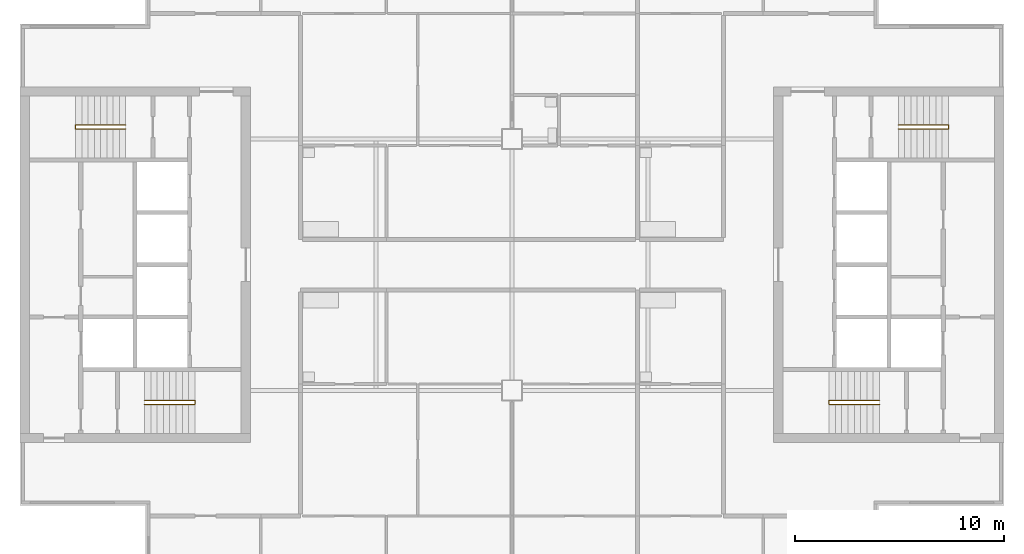
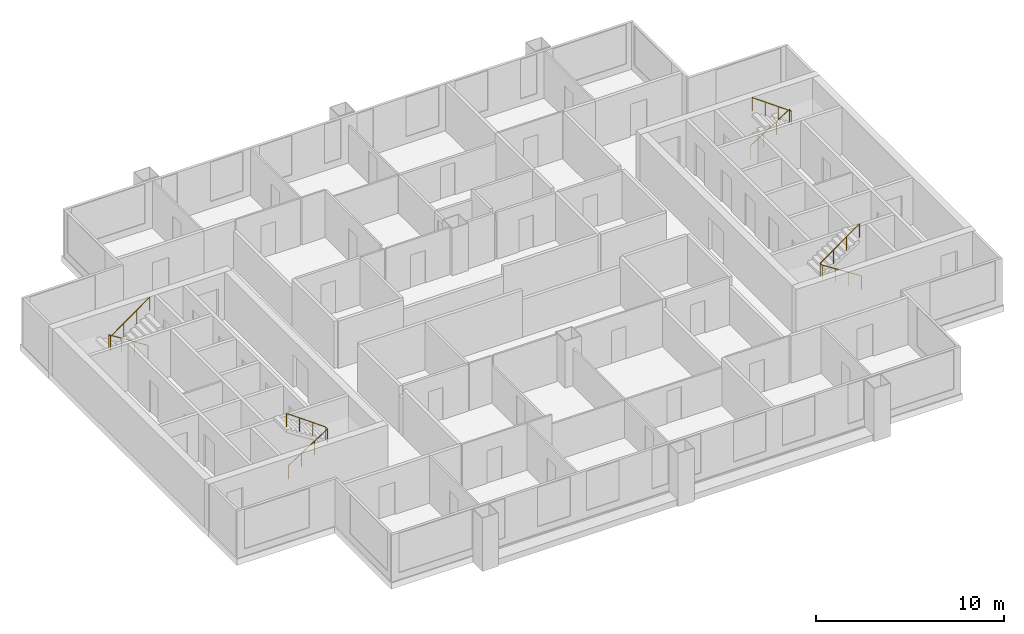
# One storey, part 7 of 8: 4 railings.
"""IFC4 building model written with IfcOpenShell, lengths in metres."""

from ifc_helpers import new_model, si_unit, direction, frame, origin, origin_2d, place, context, subcontext, project, spatial, circle, extrude, material, type_object, element, save


model = new_model("IFC4")

# Units and contexts
model_context = context("Model", 3, precision=1e-05, world=origin(), true_north=direction((0.0, 1.0)))
body_context = subcontext(model_context, "Body", "Model", "MODEL_VIEW")
ifc_project = project(units=[si_unit("LENGTHUNIT", "METRE"), si_unit("AREAUNIT", "SQUARE_METRE"), si_unit("VOLUMEUNIT", "CUBIC_METRE"), si_unit("PLANEANGLEUNIT", "RADIAN"), si_unit("MASSUNIT", "GRAM", prefix="KILO")], contexts=[model_context])

# Site, building, storey
site_placement = place(None, origin())
site = spatial("IfcSite", under=ifc_project, at=site_placement, CompositionType="ELEMENT")
building_placement = place(site_placement, origin())
building = spatial("IfcBuilding", under=site, at=building_placement, Name="Kitamizu Gate Tower and Museum", CompositionType="ELEMENT")
storey_placement = place(building_placement, frame((0.0, 0.0, 262.800048828125)))
storey = spatial("IfcBuildingStorey", under=building, at=storey_placement, Name="L71", CompositionType="ELEMENT", Elevation=262.800048828125)

# Railings
ifc_material = material(Name="Stainless steel SUS304", Category="steel")
railing_type = type_object("IfcRailingType", Name="Stair handrail 900", PredefinedType="HANDRAIL", material=ifc_material)
railing_1_placement = place(storey_placement, frame((18.449951171875, 23.324951171875, 0.191650390625)))
element("IfcRailing", 1, at=railing_1_placement, inside=storey, type_object=railing_type, Name="Stair handrail ST1", PredefinedType="HANDRAIL", context=body_context, shape_type="SweptSolid", body=[
    extrude(circle(Radius=0.02392578125, at=origin_2d()), frame((0.0, 0.0, 0.8759765625), z_axis=(0.842731908877, 0.0, 0.538333474494), x_axis=(0.0, 1.0, 0.0)), (0.0, 0.0, 1.0), 2.84814453125),
    extrude(circle(Radius=0.02392578125, at=origin_2d()), frame((2.400146484375, 0.0, 2.4091796875), z_axis=(0.0, 1.0, 0.0), x_axis=(-1.0, 0.0, 0.0)), (0.0, 0.0, 1.0), 0.199951171875),
    extrude(circle(Radius=0.02392578125, at=origin_2d()), frame((2.400146484375, 0.199951171875, 2.4091796875), z_axis=(-0.812016594614, 0.0, 0.583634346205), x_axis=(0.0, -1.0, 0.0)), (0.0, 0.0, 1.0), 2.955810546875),
    extrude(circle(Radius=0.02099609375, at=origin_2d()), origin(), (0.0, 0.0, 1.0), 0.851806640625),
    extrude(circle(Radius=0.02099609375, at=origin_2d()), frame((0.800048828125, 0.0, 0.510986328125)), (0.0, 0.0, 1.0), 0.851806640625),
    extrude(circle(Radius=0.02099609375, at=origin_2d()), frame((1.60009765625, 0.0, 1.022216796875)), (0.0, 0.0, 1.0), 0.851806640625),
    extrude(circle(Radius=0.02099609375, at=origin_2d()), frame((2.400146484375, 0.0, 1.533203125)), (0.0, 0.0, 1.0), 0.851806640625),
    extrude(circle(Radius=0.02099609375, at=origin_2d()), frame((2.400146484375, 0.199951171875, 1.533203125)), (0.0, 0.0, 1.0), 0.851806640625),
    extrude(circle(Radius=0.02099609375, at=origin_2d()), frame((1.60009765625, 0.199951171875, 2.108154296875)), (0.0, 0.0, 1.0), 0.851806640625),
    extrude(circle(Radius=0.02099609375, at=origin_2d()), frame((0.800048828125, 0.199951171875, 2.683349609375)), (0.0, 0.0, 1.0), 0.851806640625),
    extrude(circle(Radius=0.02099609375, at=origin_2d()), frame((0.0, 0.199951171875, 3.25830078125)), (0.0, 0.0, 1.0), 0.851806640625),
])
railing_2_placement = place(storey_placement, frame((17.550048828125, 36.675048828125, 0.191650390625)))
element("IfcRailing", 2, at=railing_2_placement, inside=storey, type_object=railing_type, Name="Stair handrail ST2", PredefinedType="HANDRAIL", context=body_context, shape_type="SweptSolid", body=[
    extrude(circle(Radius=0.02392578125, at=origin_2d()), frame((0.0, 0.0, 0.8759765625), z_axis=(-0.842731908877, 0.0, 0.538333474494), x_axis=(0.0, -1.0, 0.0)), (0.0, 0.0, 1.0), 2.84814453125),
    extrude(circle(Radius=0.02392578125, at=origin_2d()), frame((-2.400146484375, 0.0, 2.4091796875), z_axis=(0.0, -1.0, 0.0), x_axis=(1.0, 0.0, 0.0)), (0.0, 0.0, 1.0), 0.199951171875),
    extrude(circle(Radius=0.02392578125, at=origin_2d()), frame((-2.400146484375, -0.199951171875, 2.4091796875), z_axis=(0.812016594614, 0.0, 0.583634346205), x_axis=(0.0, 1.0, 0.0)), (0.0, 0.0, 1.0), 2.955810546875),
    extrude(circle(Radius=0.02099609375, at=origin_2d()), origin(), (0.0, 0.0, 1.0), 0.851806640625),
    extrude(circle(Radius=0.02099609375, at=origin_2d()), frame((-0.800048828125, 0.0, 0.510986328125)), (0.0, 0.0, 1.0), 0.851806640625),
    extrude(circle(Radius=0.02099609375, at=origin_2d()), frame((-1.60009765625, 0.0, 1.022216796875)), (0.0, 0.0, 1.0), 0.851806640625),
    extrude(circle(Radius=0.02099609375, at=origin_2d()), frame((-2.400146484375, 0.0, 1.533203125)), (0.0, 0.0, 1.0), 0.851806640625),
    extrude(circle(Radius=0.02099609375, at=origin_2d()), frame((-2.400146484375, -0.199951171875, 1.533203125)), (0.0, 0.0, 1.0), 0.851806640625),
    extrude(circle(Radius=0.02099609375, at=origin_2d()), frame((-1.60009765625, -0.199951171875, 2.108154296875)), (0.0, 0.0, 1.0), 0.851806640625),
    extrude(circle(Radius=0.02099609375, at=origin_2d()), frame((-0.800048828125, -0.199951171875, 2.683349609375)), (0.0, 0.0, 1.0), 0.851806640625),
    extrude(circle(Radius=0.02099609375, at=origin_2d()), frame((0.0, -0.199951171875, 3.25830078125)), (0.0, 0.0, 1.0), 0.851806640625),
])
railing_3_placement = place(storey_placement, frame((53.550048828125, 23.324951171875, 0.191650390625)))
element("IfcRailing", 3, at=railing_3_placement, inside=storey, type_object=railing_type, Name="Stair handrail ST3", PredefinedType="HANDRAIL", context=body_context, shape_type="SweptSolid", body=[
    extrude(circle(Radius=0.02392578125, at=origin_2d()), frame((0.0, 0.0, 0.8759765625), z_axis=(-0.842731908877, 0.0, 0.538333474494), x_axis=(0.0, -1.0, 0.0)), (0.0, 0.0, 1.0), 2.84814453125),
    extrude(circle(Radius=0.02392578125, at=origin_2d()), frame((-2.400146484375, 0.0, 2.4091796875), z_axis=(0.0, 1.0, 0.0), x_axis=(-1.0, 0.0, 0.0)), (0.0, 0.0, 1.0), 0.199951171875),
    extrude(circle(Radius=0.02392578125, at=origin_2d()), frame((-2.400146484375, 0.199951171875, 2.4091796875), z_axis=(0.812016594614, 0.0, 0.583634346205), x_axis=(0.0, 1.0, 0.0)), (0.0, 0.0, 1.0), 2.955810546875),
    extrude(circle(Radius=0.02099609375, at=origin_2d()), origin(), (0.0, 0.0, 1.0), 0.851806640625),
    extrude(circle(Radius=0.02099609375, at=origin_2d()), frame((-0.800048828125, 0.0, 0.510986328125)), (0.0, 0.0, 1.0), 0.851806640625),
    extrude(circle(Radius=0.02099609375, at=origin_2d()), frame((-1.60009765625, 0.0, 1.022216796875)), (0.0, 0.0, 1.0), 0.851806640625),
    extrude(circle(Radius=0.02099609375, at=origin_2d()), frame((-2.400146484375, 0.0, 1.533203125)), (0.0, 0.0, 1.0), 0.851806640625),
    extrude(circle(Radius=0.02099609375, at=origin_2d()), frame((-2.400146484375, 0.199951171875, 1.533203125)), (0.0, 0.0, 1.0), 0.851806640625),
    extrude(circle(Radius=0.02099609375, at=origin_2d()), frame((-1.60009765625, 0.199951171875, 2.108154296875)), (0.0, 0.0, 1.0), 0.851806640625),
    extrude(circle(Radius=0.02099609375, at=origin_2d()), frame((-0.800048828125, 0.199951171875, 2.683349609375)), (0.0, 0.0, 1.0), 0.851806640625),
    extrude(circle(Radius=0.02099609375, at=origin_2d()), frame((0.0, 0.199951171875, 3.25830078125)), (0.0, 0.0, 1.0), 0.851806640625),
])
railing_4_placement = place(storey_placement, frame((54.449951171875, 36.675048828125, 0.191650390625)))
element("IfcRailing", 4, at=railing_4_placement, inside=storey, type_object=railing_type, Name="Stair handrail ST4", PredefinedType="HANDRAIL", context=body_context, shape_type="SweptSolid", body=[
    extrude(circle(Radius=0.02392578125, at=origin_2d()), frame((0.0, 0.0, 0.8759765625), z_axis=(0.842731908877, 0.0, 0.538333474494), x_axis=(0.0, 1.0, 0.0)), (0.0, 0.0, 1.0), 2.84814453125),
    extrude(circle(Radius=0.02392578125, at=origin_2d()), frame((2.400146484375, 0.0, 2.4091796875), z_axis=(0.0, -1.0, 0.0), x_axis=(1.0, 0.0, 0.0)), (0.0, 0.0, 1.0), 0.199951171875),
    extrude(circle(Radius=0.02392578125, at=origin_2d()), frame((2.400146484375, -0.199951171875, 2.4091796875), z_axis=(-0.812016594614, 0.0, 0.583634346205), x_axis=(0.0, -1.0, 0.0)), (0.0, 0.0, 1.0), 2.955810546875),
    extrude(circle(Radius=0.02099609375, at=origin_2d()), origin(), (0.0, 0.0, 1.0), 0.851806640625),
    extrude(circle(Radius=0.02099609375, at=origin_2d()), frame((0.800048828125, 0.0, 0.510986328125)), (0.0, 0.0, 1.0), 0.851806640625),
    extrude(circle(Radius=0.02099609375, at=origin_2d()), frame((1.60009765625, 0.0, 1.022216796875)), (0.0, 0.0, 1.0), 0.851806640625),
    extrude(circle(Radius=0.02099609375, at=origin_2d()), frame((2.400146484375, 0.0, 1.533203125)), (0.0, 0.0, 1.0), 0.851806640625),
    extrude(circle(Radius=0.02099609375, at=origin_2d()), frame((2.400146484375, -0.199951171875, 1.533203125)), (0.0, 0.0, 1.0), 0.851806640625),
    extrude(circle(Radius=0.02099609375, at=origin_2d()), frame((1.60009765625, -0.199951171875, 2.108154296875)), (0.0, 0.0, 1.0), 0.851806640625),
    extrude(circle(Radius=0.02099609375, at=origin_2d()), frame((0.800048828125, -0.199951171875, 2.683349609375)), (0.0, 0.0, 1.0), 0.851806640625),
    extrude(circle(Radius=0.02099609375, at=origin_2d()), frame((0.0, -0.199951171875, 3.25830078125)), (0.0, 0.0, 1.0), 0.851806640625),
])

save(model, "model.ifc")
